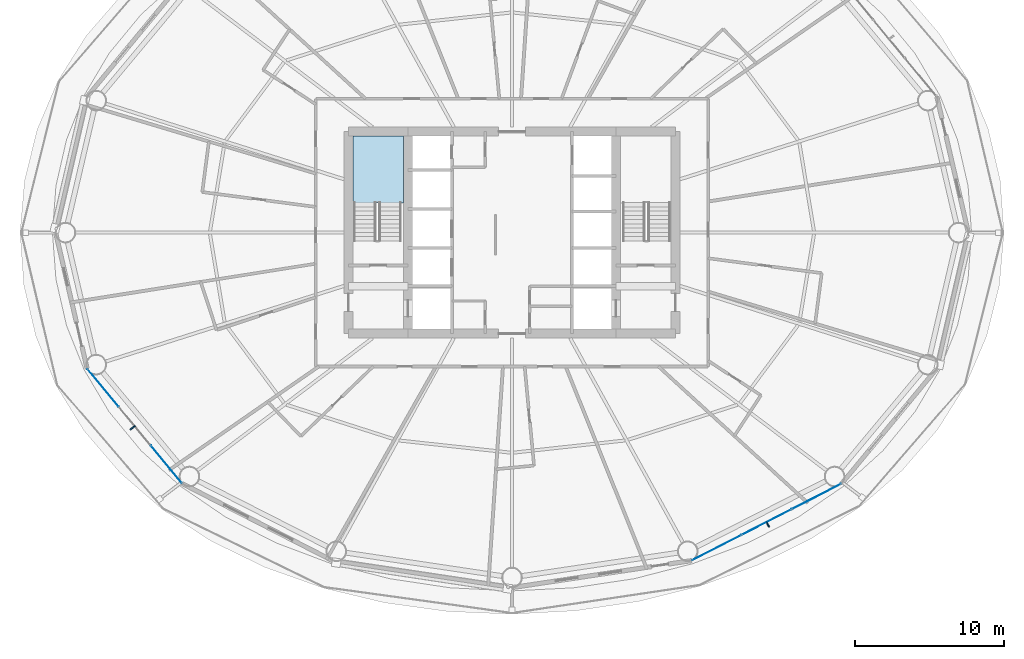
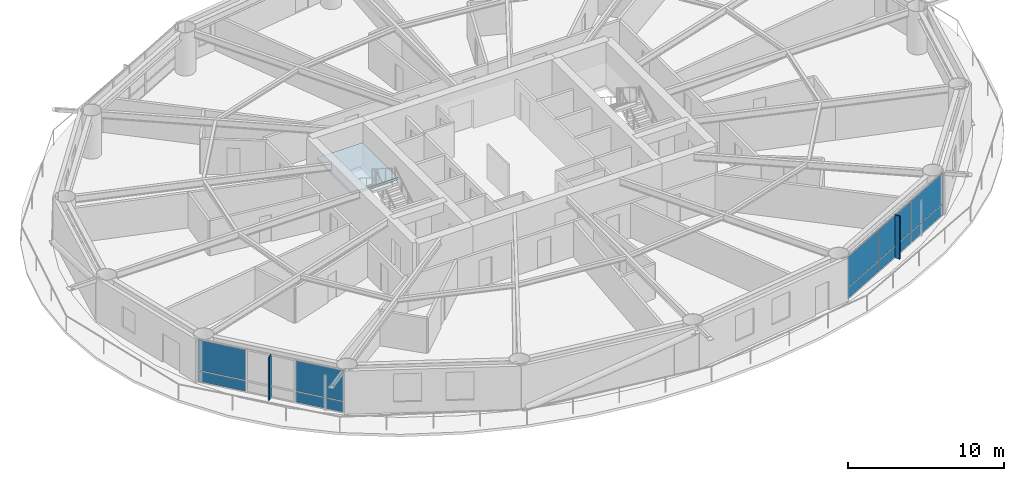
# One storey, part 16 of 26: 12 plates, 1 slab, 3 elements without a shape of their own.
"""IFC4 building model written with IfcOpenShell, lengths in metres."""

from ifc_helpers import new_model, si_unit, direction, frame, origin, origin_2d, place, context, subcontext, project, spatial, polyline, rectangle, outline, extrude, material, layer, layer_set, type_object, element, aggregate, save


model = new_model("IFC4")

# Units and contexts
model_context = context("Model", 3, precision=1e-05, world=origin(), true_north=direction((0.0, 1.0)))
body_context = subcontext(model_context, "Body", "Model", "MODEL_VIEW")
ifc_project = project(units=[si_unit("LENGTHUNIT", "METRE"), si_unit("AREAUNIT", "SQUARE_METRE"), si_unit("VOLUMEUNIT", "CUBIC_METRE"), si_unit("PLANEANGLEUNIT", "RADIAN"), si_unit("MASSUNIT", "GRAM", prefix="KILO")], contexts=[model_context])

# Site, building, storey
site_placement = place(None, origin())
site = spatial("IfcSite", under=ifc_project, at=site_placement, CompositionType="ELEMENT")
building_placement = place(site_placement, origin())
building = spatial("IfcBuilding", under=site, at=building_placement, Name="Sarneth Arch Tower", CompositionType="ELEMENT")
storey_placement = place(building_placement, frame((0.0, 0.0, 60.60009765625)))
storey = spatial("IfcBuildingStorey", under=building, at=storey_placement, Name="L14", CompositionType="ELEMENT", Elevation=60.60009765625)

# Curtain wall, plates
ifc_material_1 = material(Name="Anodised aluminium Type AA25 and solar-control low-e laminated IGU", Category="aluminium")
ifc_layer_1 = layer(ifc_material_1, 0.159912109375)
ifc_layer_set_1 = layer_set([ifc_layer_1], Name="Anodised aluminium Type AA25 and solar-control low-e laminated IGU")
curtain_wall_type = type_object("IfcCurtainWallType", Name="CW-HOTEL-LOW", PredefinedType="NOTDEFINED", material=ifc_layer_set_1)
curtain_wall_1_placement = place(storey_placement, origin())
curtain_wall_1 = element("IfcCurtainWall", 1, at=curtain_wall_1_placement, inside=storey, type_object=curtain_wall_type, Name="L14 Unitised curtain wall facet 10", PredefinedType="NOTDEFINED")
ifc_material_2 = material(Name="Solar-control low-e laminated IGU", Category="glass")
ifc_layer_2 = layer(ifc_material_2, 0.028076171875)
ifc_layer_set_2 = layer_set([ifc_layer_2], Name="Solar-control low-e laminated IGU")
plate_type_1 = type_object("IfcPlateType", Name="CW-PANEL", PredefinedType="CURTAIN_PANEL", material=ifc_layer_set_2)
plate_1_placement = place(storey_placement, frame((20.496337890625, 31.558837890625, 0.059814453125), z_axis=(0.0, 0.0, 1.0), x_axis=(0.637291340827, -0.770622960278, 0.0)))
plate_1 = element("IfcPlate", 2, at=plate_1_placement, type_object=plate_type_1, Name="Curtain wall glazed vision pane CW-L14-F10/P00-00", PredefinedType="CURTAIN_PANEL", context=body_context, shape_type="SweptSolid", body=[
    extrude(rectangle(XDim=3.260986328125, YDim=0.028076171875, at=origin_2d()), origin(), (0.0, 0.0, 1.0), 0.81005859375),
])
plate_2_placement = place(storey_placement, frame((20.496337890625, 31.558837890625, 0.93017578125), z_axis=(0.0, 0.0, 1.0), x_axis=(0.637291340827, -0.770622960278, 0.0)))
plate_2 = element("IfcPlate", 3, at=plate_2_placement, type_object=plate_type_1, Name="Curtain wall glazed vision pane CW-L14-F10/P00-01", PredefinedType="CURTAIN_PANEL", context=body_context, shape_type="SweptSolid", body=[
    extrude(rectangle(XDim=3.260986328125, YDim=0.028076171875, at=origin_2d()), origin(), (0.0, 0.0, 1.0), 2.389892578125),
])
plate_3_placement = place(storey_placement, frame((24.74853515625, 26.4169921875, 0.059814453125), z_axis=(0.0, 0.0, 1.0), x_axis=(0.637291340827, -0.770622960278, 0.0)))
plate_3 = element("IfcPlate", 4, at=plate_3_placement, type_object=plate_type_1, Name="Curtain wall glazed vision pane CW-L14-F10/P02-00", PredefinedType="CURTAIN_PANEL", context=body_context, shape_type="SweptSolid", body=[
    extrude(rectangle(XDim=3.260986328125, YDim=0.028076171875, at=origin_2d()), origin(), (0.0, 0.0, 1.0), 0.81005859375),
])
plate_4_placement = place(storey_placement, frame((24.74853515625, 26.4169921875, 0.93017578125), z_axis=(0.0, 0.0, 1.0), x_axis=(0.637291340827, -0.770622960278, 0.0)))
plate_4 = element("IfcPlate", 5, at=plate_4_placement, type_object=plate_type_1, Name="Curtain wall glazed vision pane CW-L14-F10/P02-01", PredefinedType="CURTAIN_PANEL", context=body_context, shape_type="SweptSolid", body=[
    extrude(rectangle(XDim=3.260986328125, YDim=0.028076171875, at=origin_2d()), origin(), (0.0, 0.0, 1.0), 2.389892578125),
])
aggregate(curtain_wall_1, [plate_1, plate_2, plate_3, plate_4])

curtain_wall_2_placement = place(storey_placement, origin())
curtain_wall_2 = element("IfcCurtainWall", 6, at=curtain_wall_2_placement, inside=storey, type_object=curtain_wall_type, Name="L14 Unitised curtain wall facet 14", PredefinedType="NOTDEFINED")
plate_5_placement = place(storey_placement, frame((61.77392578125, 20.807373046875, 0.059814453125), z_axis=(0.0, 0.0, 1.0), x_axis=(0.889854100456, 0.456245197127, 0.0)))
plate_5 = element("IfcPlate", 7, at=plate_5_placement, type_object=plate_type_1, Name="Curtain wall glazed vision pane CW-L14-F14/P00-00", PredefinedType="CURTAIN_PANEL", context=body_context, shape_type="SweptSolid", body=[
    extrude(rectangle(XDim=3.69189453125, YDim=0.028076171875, at=origin_2d()), origin(), (0.0, 0.0, 1.0), 0.81005859375),
])
plate_6_placement = place(storey_placement, frame((61.77392578125, 20.807373046875, 0.93017578125), z_axis=(0.0, 0.0, 1.0), x_axis=(0.889854100456, 0.456245197127, 0.0)))
plate_6 = element("IfcPlate", 8, at=plate_6_placement, type_object=plate_type_1, Name="Curtain wall glazed vision pane CW-L14-F14/P00-01", PredefinedType="CURTAIN_PANEL", context=body_context, shape_type="SweptSolid", body=[
    extrude(rectangle(XDim=3.69189453125, YDim=0.028076171875, at=origin_2d()), origin(), (0.0, 0.0, 1.0), 2.389892578125),
])
plate_7_placement = place(storey_placement, frame((65.1259765625, 22.526123046875, 0.059814453125), z_axis=(0.0, 0.0, 1.0), x_axis=(0.889854100456, 0.456245197127, 0.0)))
plate_7 = element("IfcPlate", 9, at=plate_7_placement, type_object=plate_type_1, Name="Curtain wall glazed vision pane CW-L14-F14/P01-00", PredefinedType="CURTAIN_PANEL", context=body_context, shape_type="SweptSolid", body=[
    extrude(rectangle(XDim=3.721923828125, YDim=0.028076171875, at=origin_2d()), origin(), (0.0, 0.0, 1.0), 0.81005859375),
])
plate_8_placement = place(storey_placement, frame((65.1259765625, 22.526123046875, 0.93017578125), z_axis=(0.0, 0.0, 1.0), x_axis=(0.889854100456, 0.456245197127, 0.0)))
plate_8 = element("IfcPlate", 10, at=plate_8_placement, type_object=plate_type_1, Name="Curtain wall glazed vision pane CW-L14-F14/P01-01", PredefinedType="CURTAIN_PANEL", context=body_context, shape_type="SweptSolid", body=[
    extrude(rectangle(XDim=3.721923828125, YDim=0.028076171875, at=origin_2d()), origin(), (0.0, 0.0, 1.0), 2.389892578125),
])
plate_9_placement = place(storey_placement, frame((68.47802734375, 24.24462890625, 0.059814453125), z_axis=(0.0, 0.0, 1.0), x_axis=(0.889854100456, 0.456245197127, 0.0)))
plate_9 = element("IfcPlate", 11, at=plate_9_placement, type_object=plate_type_1, Name="Curtain wall glazed vision pane CW-L14-F14/P02-00", PredefinedType="CURTAIN_PANEL", context=body_context, shape_type="SweptSolid", body=[
    extrude(rectangle(XDim=3.69189453125, YDim=0.028076171875, at=origin_2d()), origin(), (0.0, 0.0, 1.0), 0.81005859375),
])
plate_10_placement = place(storey_placement, frame((68.47802734375, 24.24462890625, 0.93017578125), z_axis=(0.0, 0.0, 1.0), x_axis=(0.889854100456, 0.456245197127, 0.0)))
plate_10 = element("IfcPlate", 12, at=plate_10_placement, type_object=plate_type_1, Name="Curtain wall glazed vision pane CW-L14-F14/P02-01", PredefinedType="CURTAIN_PANEL", context=body_context, shape_type="SweptSolid", body=[
    extrude(rectangle(XDim=3.69189453125, YDim=0.028076171875, at=origin_2d()), origin(), (0.0, 0.0, 1.0), 2.389892578125),
])
aggregate(curtain_wall_2, [plate_5, plate_6, plate_7, plate_8, plate_9, plate_10])

# Plates
ifc_material_3 = material(Name="Extruded glazed terracotta baguette fin on Aluminium 6063-T6 carrier", Category="masonry")
ifc_layer_3 = layer(ifc_material_3, 0.080078125)
ifc_layer_set_3 = layer_set([ifc_layer_3], Name="Extruded glazed terracotta baguette fin on Aluminium 6063-T6 carrier")
plate_type_2 = type_object("IfcPlateType", Name="SHADE-TERRA-FIN", PredefinedType="SHEET", material=ifc_layer_set_3)
for number, where, z_axis, x_axis, name in (
    (13, (22.491455078125, 28.879638671875, 0.009765625), (0.0, 0.0, 1.0), (-0.770624482513, -0.637289500111, 0.0), "L14 Terracotta vertical shading fin 10"),
    (14, (65.20361328125, 22.374755859375, 0.009765625), (0.0, 0.0, 1.0), (0.4563215909, -0.889814927768, 0.0), "L14 Terracotta vertical shading fin 14"),
):
    element("IfcPlate", number, at=place(storey_placement, frame(where, z_axis=z_axis, x_axis=x_axis)), inside=storey, type_object=plate_type_2, Name=name, PredefinedType="SHEET", context=body_context, shape_type="SweptSolid", body=[
        extrude(rectangle(XDim=0.419921875, YDim=0.080078125, at=origin_2d()), origin(), (0.0, 0.0, 1.0), 3.360107421875),
    ])

# Stair, slab
ifc_material_4 = material(Name="Concrete C50/60", Category="concrete")
stair_type = type_object("IfcStairType", Name="STAIR-CORE-RC", PredefinedType="HALF_TURN_STAIR", material=ifc_material_4)
stair_placement = place(storey_placement, origin())
stair = element("IfcStair", 15, at=stair_placement, inside=storey, type_object=stair_type, Name="L14 Core Exit Stair 1", PredefinedType="HALF_TURN_STAIR")
ifc_material_5 = material(Name="Concrete C50/60", Category="concrete")
ifc_layer_4 = layer(ifc_material_5, 0.199951171875)
ifc_layer_set_4 = layer_set([ifc_layer_4], Name="Concrete C50/60")
slab_type = type_object("IfcSlabType", Name="SLAB-LANDING-200", PredefinedType="LANDING", material=ifc_layer_set_4)
slab_placement = place(storey_placement, frame((0.0, 0.0, 1.599853515625)))
slab = element("IfcSlab", 16, at=slab_placement, type_object=slab_type, Name="ST-1 landing 1", PredefinedType="LANDING", context=body_context, shape_type="SweptSolid", body=[
    extrude(outline(polyline([(37.300048828125, 43.985107421875), (40.699951171875, 43.985107421875), (40.699951171875, 48.5), (37.300048828125, 48.5), (37.300048828125, 43.985107421875)])), origin(), (0.0, 0.0, 1.0), 0.199951171875),
])
aggregate(stair, [slab])

save(model, "model.ifc")
